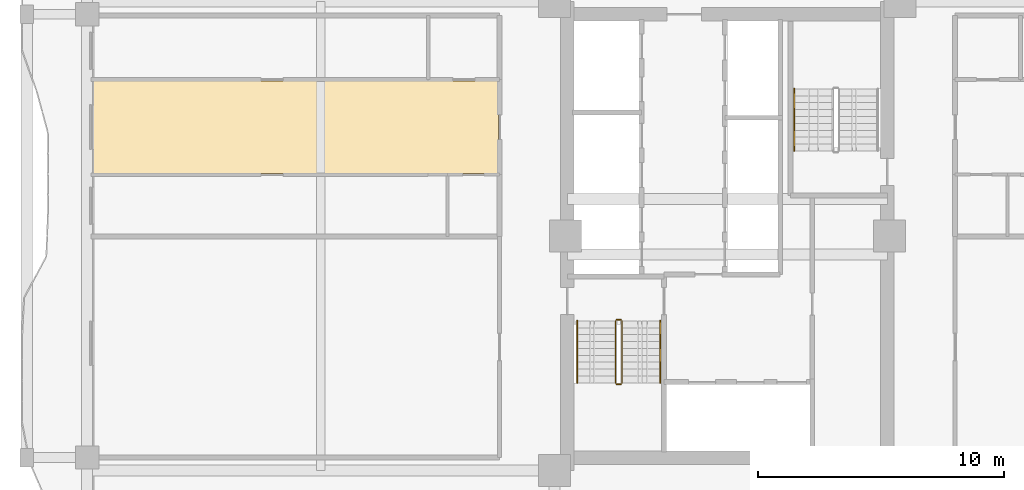
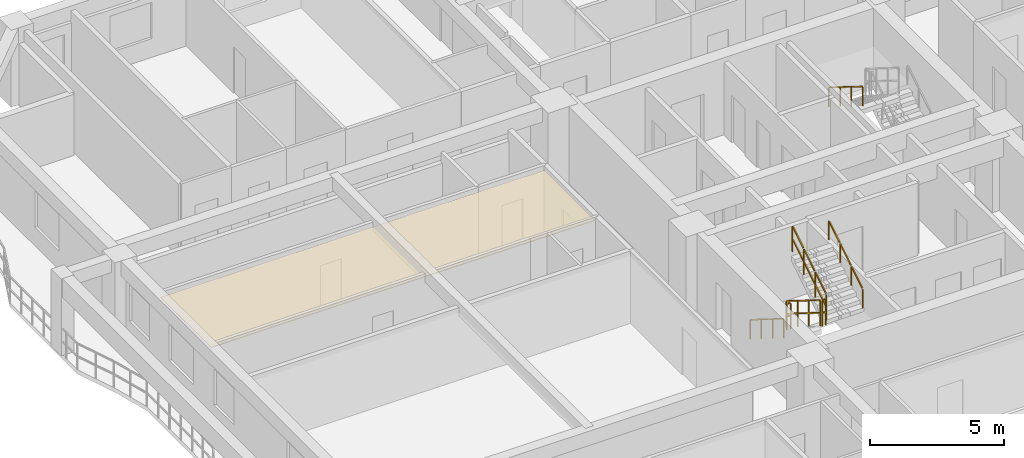
# One storey, part 13 of 17: 7 railings, 1 covering.
"""IFC4 building model written with IfcOpenShell, lengths in metres."""

from ifc_helpers import new_model, si_unit, direction, frame, origin, origin_2d, place, context, subcontext, project, spatial, polyline, rectangle, outline, extrude, material, layer, layer_set, type_object, element, save


model = new_model("IFC4")

# Units and contexts
model_context = context("Model", 3, precision=1e-05, world=origin(), true_north=direction((0.0, 1.0)))
body_context = subcontext(model_context, "Body", "Model", "MODEL_VIEW")
ifc_project = project(units=[si_unit("LENGTHUNIT", "METRE"), si_unit("AREAUNIT", "SQUARE_METRE"), si_unit("VOLUMEUNIT", "CUBIC_METRE"), si_unit("PLANEANGLEUNIT", "RADIAN"), si_unit("MASSUNIT", "GRAM", prefix="KILO")], contexts=[model_context])

# Site, building, storey
site_placement = place(None, origin())
site = spatial("IfcSite", under=ifc_project, at=site_placement, CompositionType="ELEMENT")
building_placement = place(site_placement, origin())
building = spatial("IfcBuilding", under=site, at=building_placement, Name="Saelheon Loggia Tower", CompositionType="ELEMENT")
storey_placement = place(building_placement, frame((0.0, 0.0, 74.35009765625)))
storey = spatial("IfcBuildingStorey", under=building, at=storey_placement, Name="L23", CompositionType="ELEMENT", Elevation=74.35009765625)

# Covering
ifc_material_1 = material(Name="Mineral-Fibre Acoustic Ceiling Board", Category="gypsum")
ifc_layer = layer(ifc_material_1, 0.02490234375)
ifc_layer_set = layer_set([ifc_layer], Name="Mineral-Fibre Acoustic Ceiling Board")
covering_type = type_object("IfcCoveringType", Name="Cov_Ceiling_Acoustic", PredefinedType="CEILING", material=ifc_layer_set)
covering_placement = place(storey_placement, frame((0.0, 0.0, 3.034912109375)))
element("IfcCovering", 1, at=covering_placement, inside=storey, type_object=covering_type, Name="L23 Acoustic Suspended Ceiling", PredefinedType="CEILING", context=body_context, shape_type="SweptSolid", body=[
    extrude(outline(polyline([(12.199951171875, 29.5380859375), (28.699951171875, 29.5380859375), (28.699951171875, 33.300048828125), (12.199951171875, 33.300048828125), (12.199951171875, 29.5380859375)])), origin(), (0.0, 0.0, 1.0), 0.02490234375),
])

# Railings
ifc_material_2 = material(Name="Galvanised Steel S275 Stairwell Guardrail", Category="steel")
railing_type_1 = type_object("IfcRailingType", Name="Guard_StairWell_RL_STG", PredefinedType="GUARDRAIL", material=ifc_material_2)
railing_1_placement = place(storey_placement, frame((33.4599609375, 23.550048828125, 0.1748046875)))
element("IfcRailing", 2, at=railing_1_placement, inside=storey, type_object=railing_type_1, Name="L23 ST1 stair guard 1", PredefinedType="GUARDRAIL", context=body_context, shape_type="SweptSolid", body=[
    extrude(rectangle(XDim=0.048095703125, YDim=0.048095703125, at=origin_2d()), frame((0.0, -0.028076171875, 1.193603515625), z_axis=(0.0, -0.847970611238, 0.530043245855), x_axis=(1.0, 0.0, 0.0)), (0.0, 0.0, 1.0), 0.924072265625),
    extrude(rectangle(XDim=0.048095703125, YDim=0.048095703125, at=origin_2d()), frame((0.0, -0.028076171875, 0.61767578125), z_axis=(0.0, -0.847970611238, 0.530043245855), x_axis=(1.0, 0.0, 0.0)), (0.0, 0.0, 1.0), 0.924072265625),
    extrude(rectangle(XDim=0.048095703125, YDim=0.048095703125, at=origin_2d()), frame((0.0, -0.8681640625, 1.718505859375), z_axis=(0.0, -0.847970611238, 0.530043245855), x_axis=(1.0, 0.0, 0.0)), (0.0, 0.0, 1.0), 0.924072265625),
    extrude(rectangle(XDim=0.048095703125, YDim=0.048095703125, at=origin_2d()), frame((0.0, -0.8681640625, 1.142578125), z_axis=(0.0, -0.847970611238, 0.530043245855), x_axis=(1.0, 0.0, 0.0)), (0.0, 0.0, 1.0), 0.924072265625),
    extrude(rectangle(XDim=0.048095703125, YDim=0.048095703125, at=origin_2d()), frame((0.0, -1.708251953125, 2.24365234375), z_axis=(0.0, -0.847970611238, 0.530043245855), x_axis=(1.0, 0.0, 0.0)), (0.0, 0.0, 1.0), 0.924072265625),
    extrude(rectangle(XDim=0.048095703125, YDim=0.048095703125, at=origin_2d()), frame((0.0, -1.708251953125, 1.667724609375), z_axis=(0.0, -0.847970611238, 0.530043245855), x_axis=(1.0, 0.0, 0.0)), (0.0, 0.0, 1.0), 0.924072265625),
    extrude(rectangle(XDim=0.0419921875, YDim=0.0419921875, at=origin_2d()), origin(), (0.0, 0.0, 1.0), 1.14794921875),
    extrude(rectangle(XDim=0.0419921875, YDim=0.0419921875, at=origin_2d()), frame((0.0, -0.840087890625, 0.525146484375)), (0.0, 0.0, 1.0), 1.14794921875),
    extrude(rectangle(XDim=0.0419921875, YDim=0.0419921875, at=origin_2d()), frame((0.0, -1.679931640625, 1.050048828125)), (0.0, 0.0, 1.0), 1.14794921875),
    extrude(rectangle(XDim=0.0419921875, YDim=0.0419921875, at=origin_2d()), frame((0.0, -2.52001953125, 1.5751953125)), (0.0, 0.0, 1.0), 1.14794921875),
])
railing_2_placement = place(storey_placement, frame((33.510009765625, 20.97998046875, 1.75)))
element("IfcRailing", 3, at=railing_2_placement, inside=storey, type_object=railing_type_1, Name="L23 ST1 stair guard 2", PredefinedType="GUARDRAIL", context=body_context, shape_type="SweptSolid", body=[
    extrude(rectangle(XDim=0.048095703125, YDim=0.048095703125, at=origin_2d()), frame((0.033203125, 0.0, 1.17578125), z_axis=(1.0, 0.0, 0.0), x_axis=(0.0, 1.0, 0.0)), (0.0, 0.0, 1.0), 0.093505859375),
    extrude(rectangle(XDim=0.048095703125, YDim=0.048095703125, at=origin_2d()), frame((0.033203125, 0.0, 0.60009765625), z_axis=(1.0, 0.0, 0.0), x_axis=(0.0, 1.0, 0.0)), (0.0, 0.0, 1.0), 0.093505859375),
    extrude(rectangle(XDim=0.0419921875, YDim=0.0419921875, at=origin_2d()), origin(), (0.0, 0.0, 1.0), 1.14794921875),
    extrude(rectangle(XDim=0.0419921875, YDim=0.0419921875, at=origin_2d()), frame((0.159912109375, 0.0, 0.0)), (0.0, 0.0, 1.0), 1.14794921875),
])
railing_3_placement = place(storey_placement, frame((33.719970703125, 21.030029296875, 1.9248046875)))
element("IfcRailing", 4, at=railing_3_placement, inside=storey, type_object=railing_type_1, Name="L23 ST1 stair guard 3", PredefinedType="GUARDRAIL", context=body_context, shape_type="SweptSolid", body=[
    extrude(rectangle(XDim=0.048095703125, YDim=0.048095703125, at=origin_2d()), frame((0.0, 0.028076171875, 1.193603515625), z_axis=(0.0, 0.847970611238, 0.530043245855), x_axis=(-1.0, 0.0, 0.0)), (0.0, 0.0, 1.0), 0.924072265625),
    extrude(rectangle(XDim=0.048095703125, YDim=0.048095703125, at=origin_2d()), frame((0.0, 0.028076171875, 0.61767578125), z_axis=(0.0, 0.847970611238, 0.530043245855), x_axis=(-1.0, 0.0, 0.0)), (0.0, 0.0, 1.0), 0.924072265625),
    extrude(rectangle(XDim=0.048095703125, YDim=0.048095703125, at=origin_2d()), frame((0.0, 0.8681640625, 1.718505859375), z_axis=(0.0, 0.847970611238, 0.530043245855), x_axis=(-1.0, 0.0, 0.0)), (0.0, 0.0, 1.0), 0.924072265625),
    extrude(rectangle(XDim=0.048095703125, YDim=0.048095703125, at=origin_2d()), frame((0.0, 0.8681640625, 1.142578125), z_axis=(0.0, 0.847970611238, 0.530043245855), x_axis=(-1.0, 0.0, 0.0)), (0.0, 0.0, 1.0), 0.924072265625),
    extrude(rectangle(XDim=0.048095703125, YDim=0.048095703125, at=origin_2d()), frame((0.0, 1.708251953125, 2.24365234375), z_axis=(0.0, 0.847970611238, 0.530043245855), x_axis=(-1.0, 0.0, 0.0)), (0.0, 0.0, 1.0), 0.924072265625),
    extrude(rectangle(XDim=0.048095703125, YDim=0.048095703125, at=origin_2d()), frame((0.0, 1.708251953125, 1.667724609375), z_axis=(0.0, 0.847970611238, 0.530043245855), x_axis=(-1.0, 0.0, 0.0)), (0.0, 0.0, 1.0), 0.924072265625),
    extrude(rectangle(XDim=0.0419921875, YDim=0.0419921875, at=origin_2d()), origin(), (0.0, 0.0, 1.0), 1.14794921875),
    extrude(rectangle(XDim=0.0419921875, YDim=0.0419921875, at=origin_2d()), frame((0.0, 0.840087890625, 0.525146484375)), (0.0, 0.0, 1.0), 1.14794921875),
    extrude(rectangle(XDim=0.0419921875, YDim=0.0419921875, at=origin_2d()), frame((0.0, 1.679931640625, 1.050048828125)), (0.0, 0.0, 1.0), 1.14794921875),
    extrude(rectangle(XDim=0.0419921875, YDim=0.0419921875, at=origin_2d()), frame((0.0, 2.52001953125, 1.5751953125)), (0.0, 0.0, 1.0), 1.14794921875),
])
railing_4_placement = place(storey_placement, frame((33.510009765625, 23.60009765625, 0.0)))
element("IfcRailing", 5, at=railing_4_placement, inside=storey, type_object=railing_type_1, Name="L23 ST1 stair guard 4", PredefinedType="GUARDRAIL", context=body_context, shape_type="SweptSolid", body=[
    extrude(rectangle(XDim=0.048095703125, YDim=0.048095703125, at=origin_2d()), frame((0.033203125, 0.0, 1.17578125), z_axis=(1.0, 0.0, 0.0), x_axis=(0.0, 1.0, 0.0)), (0.0, 0.0, 1.0), 0.093505859375),
    extrude(rectangle(XDim=0.048095703125, YDim=0.048095703125, at=origin_2d()), frame((0.033203125, 0.0, 0.60009765625), z_axis=(1.0, 0.0, 0.0), x_axis=(0.0, 1.0, 0.0)), (0.0, 0.0, 1.0), 0.093505859375),
    extrude(rectangle(XDim=0.0419921875, YDim=0.0419921875, at=origin_2d()), origin(), (0.0, 0.0, 1.0), 1.14794921875),
    extrude(rectangle(XDim=0.0419921875, YDim=0.0419921875, at=origin_2d()), frame((0.159912109375, 0.0, 0.0)), (0.0, 0.0, 1.0), 1.14794921875),
])
ifc_material_3 = material(Name="Stainless Steel 304 Tubular Handrail", Category="steel")
railing_type_2 = type_object("IfcRailingType", Name="Handrail_Stair_RL_HR1", PredefinedType="HANDRAIL", material=ifc_material_3)
railing_5_placement = place(storey_placement, frame((31.89990234375, 23.550048828125, 0.1748046875)))
element("IfcRailing", 6, at=railing_5_placement, inside=storey, type_object=railing_type_2, Name="L23 ST1 stair handrail 1", PredefinedType="HANDRAIL", context=body_context, shape_type="SweptSolid", body=[
    extrude(rectangle(XDim=0.048095703125, YDim=0.048095703125, at=origin_2d()), frame((0.0, -0.028076171875, 0.8935546875), z_axis=(0.0, -0.847970611238, 0.530043245855), x_axis=(1.0, 0.0, 0.0)), (0.0, 0.0, 1.0), 0.924072265625),
    extrude(rectangle(XDim=0.048095703125, YDim=0.048095703125, at=origin_2d()), frame((0.0, -0.8681640625, 1.41845703125), z_axis=(0.0, -0.847970611238, 0.530043245855), x_axis=(1.0, 0.0, 0.0)), (0.0, 0.0, 1.0), 0.924072265625),
    extrude(rectangle(XDim=0.048095703125, YDim=0.048095703125, at=origin_2d()), frame((0.0, -1.708251953125, 1.943603515625), z_axis=(0.0, -0.847970611238, 0.530043245855), x_axis=(1.0, 0.0, 0.0)), (0.0, 0.0, 1.0), 0.924072265625),
    extrude(rectangle(XDim=0.0419921875, YDim=0.0419921875, at=origin_2d()), origin(), (0.0, 0.0, 1.0), 0.847900390625),
    extrude(rectangle(XDim=0.0419921875, YDim=0.0419921875, at=origin_2d()), frame((0.0, -0.840087890625, 0.525146484375)), (0.0, 0.0, 1.0), 0.847900390625),
    extrude(rectangle(XDim=0.0419921875, YDim=0.0419921875, at=origin_2d()), frame((0.0, -1.679931640625, 1.050048828125)), (0.0, 0.0, 1.0), 0.847900390625),
    extrude(rectangle(XDim=0.0419921875, YDim=0.0419921875, at=origin_2d()), frame((0.0, -2.52001953125, 1.5751953125)), (0.0, 0.0, 1.0), 0.847900390625),
])
railing_6_placement = place(storey_placement, frame((35.280029296875, 21.030029296875, 1.9248046875)))
element("IfcRailing", 7, at=railing_6_placement, inside=storey, type_object=railing_type_2, Name="L23 ST1 stair handrail 2", PredefinedType="HANDRAIL", context=body_context, shape_type="SweptSolid", body=[
    extrude(rectangle(XDim=0.048095703125, YDim=0.048095703125, at=origin_2d()), frame((0.0, 0.028076171875, 0.8935546875), z_axis=(0.0, 0.847970611238, 0.530043245855), x_axis=(-1.0, 0.0, 0.0)), (0.0, 0.0, 1.0), 0.924072265625),
    extrude(rectangle(XDim=0.048095703125, YDim=0.048095703125, at=origin_2d()), frame((0.0, 0.8681640625, 1.41845703125), z_axis=(0.0, 0.847970611238, 0.530043245855), x_axis=(-1.0, 0.0, 0.0)), (0.0, 0.0, 1.0), 0.924072265625),
    extrude(rectangle(XDim=0.048095703125, YDim=0.048095703125, at=origin_2d()), frame((0.0, 1.708251953125, 1.943603515625), z_axis=(0.0, 0.847970611238, 0.530043245855), x_axis=(-1.0, 0.0, 0.0)), (0.0, 0.0, 1.0), 0.924072265625),
    extrude(rectangle(XDim=0.0419921875, YDim=0.0419921875, at=origin_2d()), origin(), (0.0, 0.0, 1.0), 0.847900390625),
    extrude(rectangle(XDim=0.0419921875, YDim=0.0419921875, at=origin_2d()), frame((0.0, 0.840087890625, 0.525146484375)), (0.0, 0.0, 1.0), 0.847900390625),
    extrude(rectangle(XDim=0.0419921875, YDim=0.0419921875, at=origin_2d()), frame((0.0, 1.679931640625, 1.050048828125)), (0.0, 0.0, 1.0), 0.847900390625),
    extrude(rectangle(XDim=0.0419921875, YDim=0.0419921875, at=origin_2d()), frame((0.0, 2.52001953125, 1.5751953125)), (0.0, 0.0, 1.0), 0.847900390625),
])
railing_7_placement = place(storey_placement, frame((40.719970703125, 32.969970703125, 1.9248046875)))
element("IfcRailing", 8, at=railing_7_placement, inside=storey, type_object=railing_type_2, Name="L23 ST2 stair handrail 2", PredefinedType="HANDRAIL", context=body_context, shape_type="SweptSolid", body=[
    extrude(rectangle(XDim=0.048095703125, YDim=0.048095703125, at=origin_2d()), frame((0.0, -0.028076171875, 0.8935546875), z_axis=(0.0, -0.847970611238, 0.530043245855), x_axis=(1.0, 0.0, 0.0)), (0.0, 0.0, 1.0), 0.924072265625),
    extrude(rectangle(XDim=0.048095703125, YDim=0.048095703125, at=origin_2d()), frame((0.0, -0.8681640625, 1.41845703125), z_axis=(0.0, -0.847970611238, 0.530043245855), x_axis=(1.0, 0.0, 0.0)), (0.0, 0.0, 1.0), 0.924072265625),
    extrude(rectangle(XDim=0.048095703125, YDim=0.048095703125, at=origin_2d()), frame((0.0, -1.708251953125, 1.943603515625), z_axis=(0.0, -0.847970611238, 0.530043245855), x_axis=(1.0, 0.0, 0.0)), (0.0, 0.0, 1.0), 0.924072265625),
    extrude(rectangle(XDim=0.0419921875, YDim=0.0419921875, at=origin_2d()), origin(), (0.0, 0.0, 1.0), 0.847900390625),
    extrude(rectangle(XDim=0.0419921875, YDim=0.0419921875, at=origin_2d()), frame((0.0, -0.840087890625, 0.525146484375)), (0.0, 0.0, 1.0), 0.847900390625),
    extrude(rectangle(XDim=0.0419921875, YDim=0.0419921875, at=origin_2d()), frame((0.0, -1.679931640625, 1.050048828125)), (0.0, 0.0, 1.0), 0.847900390625),
    extrude(rectangle(XDim=0.0419921875, YDim=0.0419921875, at=origin_2d()), frame((0.0, -2.52001953125, 1.5751953125)), (0.0, 0.0, 1.0), 0.847900390625),
])

save(model, "model.ifc")
